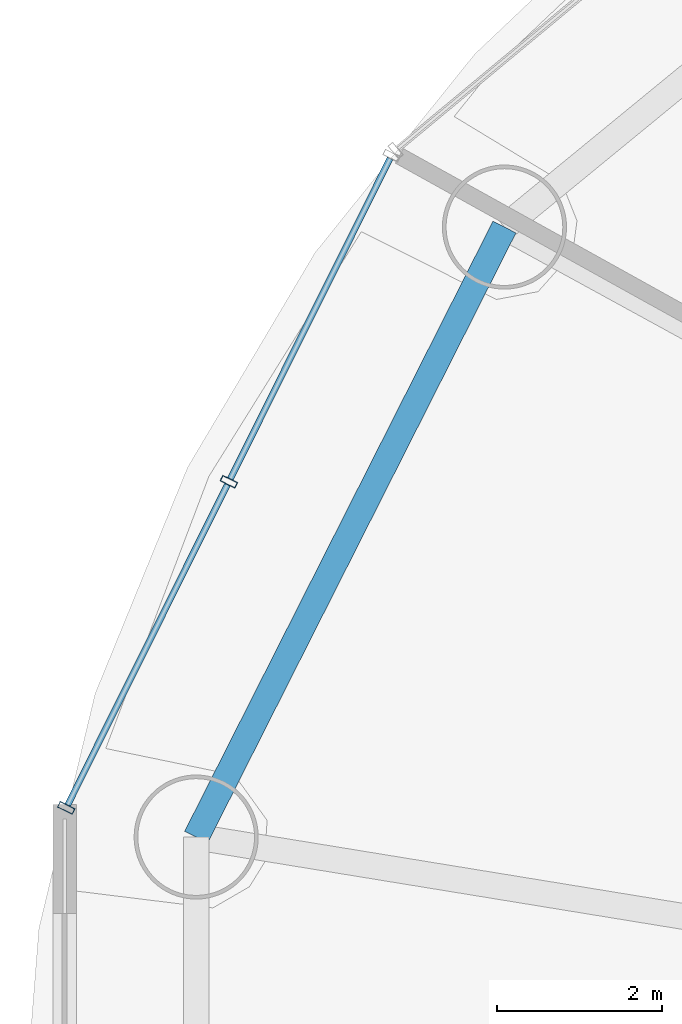
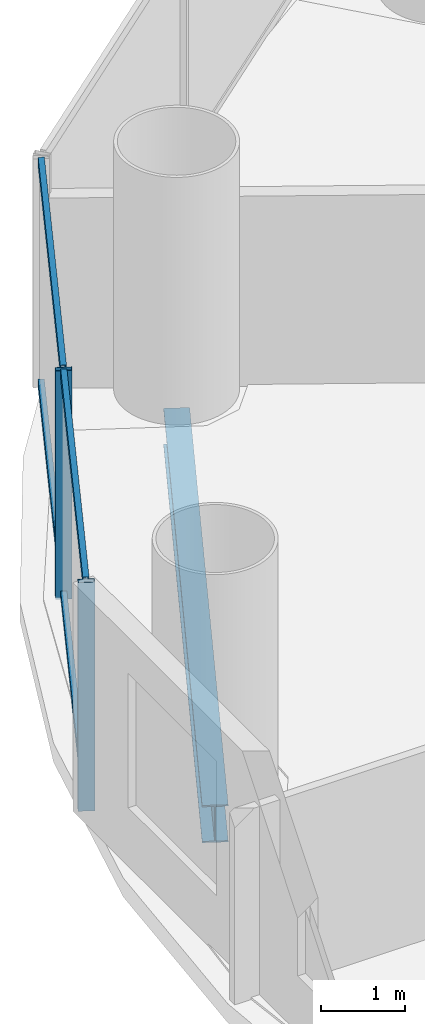
# One storey, part 9 of 29: 6 members, 1 beam, 1 element without a shape of its own.
"""IFC4 building model written with IfcOpenShell, lengths in metres."""

from ifc_helpers import new_model, si_unit, direction, frame, origin, origin_2d, place, context, subcontext, project, spatial, hollow_rectangle, i_section, extrude, source, transform, mapped, material, material_profile, profile_set, type_object, element, aggregate, save


model = new_model("IFC4")

# Units and contexts
model_context = context("Model", 3, precision=1e-05, world=origin(), true_north=direction((-0.2419218956, 0.970295726276)))
body_context = subcontext(model_context, "Body", "Model", "MODEL_VIEW")
ifc_project = project(units=[si_unit("LENGTHUNIT", "METRE"), si_unit("AREAUNIT", "SQUARE_METRE"), si_unit("VOLUMEUNIT", "CUBIC_METRE"), si_unit("PLANEANGLEUNIT", "RADIAN"), si_unit("MASSUNIT", "GRAM", prefix="KILO")], contexts=[model_context])

# Site, building, storey
site_placement = place(None, origin())
site = spatial("IfcSite", under=ifc_project, at=site_placement, CompositionType="ELEMENT")
building_placement = place(site_placement, origin())
building = spatial("IfcBuilding", under=site, at=building_placement, Name="Cobrevalo Terracotta Tower", CompositionType="ELEMENT")
storey_placement = place(building_placement, frame((0.0, 0.0, 97.800048828125)))
storey = spatial("IfcBuildingStorey", under=building, at=storey_placement, Name="L25", CompositionType="ELEMENT", Elevation=97.800048828125)

# Beam
ifc_material_1 = material(Name="Steel S355", Category="steel")
ifc_material_profile_1 = material_profile(ifc_material_1, i_section(OverallWidth=0.31201171875, OverallDepth=0.54296875, WebThickness=0.0126953125, FlangeThickness=0.020263671875, at=origin_2d()), Name="W 530x150")
ifc_profile_set_1 = profile_set([ifc_material_profile_1], Name="Steel S355")
beam_type = type_object("IfcBeamType", Name="Structural Spandrel W 530x150 (Steel S355)", PredefinedType="SPANDREL", material=ifc_profile_set_1)
beam_placement = place(storey_placement, frame((17.2548828125, 38.161376953125, -0.546630859375), z_axis=(-0.451051982172, -0.892497680321, 0.0), x_axis=(0.892497680321, -0.451051982172, 0.0)))
element("IfcBeam", 1, at=beam_placement, inside=storey, type_object=beam_type, Name="L25 perimeter ring spandrel 07", PredefinedType="SPANDREL", context=body_context, shape_type="SweptSolid", body=[
    extrude(i_section(OverallWidth=0.31201171875, OverallDepth=0.54296875, WebThickness=0.0126953125, FlangeThickness=0.020263671875, at=origin_2d()), origin(), (0.0, 0.0, 1.0), 8.259765625),
])

# Curtain wall, members
ifc_material_2 = material(Name="Anodized aluminium", Category="aluminium")
curtain_wall_type = type_object("IfcCurtainWallType", Name="Lower-tower unitised acoustic low-E curtain wall CW-U1", PredefinedType="NOTDEFINED", material=ifc_material_2)
curtain_wall_placement = place(storey_placement, origin())
curtain_wall = element("IfcCurtainWall", 2, at=curtain_wall_placement, inside=storey, type_object=curtain_wall_type, Name="L25 curtain wall CW-L25-S07", PredefinedType="NOTDEFINED")
ifc_material_profile_2 = material_profile(ifc_material_2, hollow_rectangle(XDim=0.074951171875, YDim=0.199951171875, WallThickness=0.0048828125, at=origin_2d()), Name="CWM 75x200")
ifc_profile_set_2 = profile_set([ifc_material_profile_2], Name="Anodized aluminium")
member_type_1 = type_object("IfcMemberType", Name="Lower/mid tower unitised mullion 75x200", PredefinedType="MULLION", material=ifc_profile_set_2)
shared_shape_1 = source(origin(), body_context, "Body", "SweptSolid", [
    extrude(hollow_rectangle(XDim=0.074951171875, YDim=0.199951171875, WallThickness=0.0048828125, at=origin_2d()), origin(), (0.0, 0.0, 1.0), 3.324951171875),
])
member_1_placement = place(storey_placement, frame((13.924072265625, 35.08349609375, 0.0), z_axis=(0.0, 0.0, 1.0), x_axis=(-0.446260290227, -0.894903208937, 0.0)))
member_1 = element("IfcMember", 3, at=member_1_placement, type_object=member_type_1, Name="CW-L25-S07 vertical mullion 02", PredefinedType="MULLION", context=body_context, shape_type="MappedRepresentation", body=[
    mapped(shared_shape_1, transform((0.0, 0.0, 0.0), scale=1.0)),
])
member_2_placement = place(storey_placement, frame((11.95849609375, 31.141357421875, 0.0), z_axis=(0.0, 0.0, 1.0), x_axis=(-0.446260290227, -0.894903208937, 0.0)))
member_2 = element("IfcMember", 4, at=member_2_placement, type_object=member_type_1, Name="CW-L25-S07 vertical mullion 03", PredefinedType="MULLION", context=body_context, shape_type="MappedRepresentation", body=[
    mapped(shared_shape_1, transform((0.0, 0.0, 0.0), scale=1.0)),
])
ifc_material_profile_3 = material_profile(ifc_material_2, hollow_rectangle(XDim=0.074951171875, YDim=0.14990234375, WallThickness=0.00439453125, at=origin_2d()), Name="CWT 75x150")
ifc_profile_set_3 = profile_set([ifc_material_profile_3], Name="Anodized aluminium")
member_type_2 = type_object("IfcMemberType", Name="Tower unitised aluminium transom 75x150", PredefinedType="USERDEFINED", material=ifc_profile_set_3)
shared_shape_2 = source(origin(), body_context, "Body", "SweptSolid", [
    extrude(hollow_rectangle(XDim=0.074951171875, YDim=0.14990234375, WallThickness=0.00439453125, at=origin_2d()), origin(), (0.0, 0.0, 1.0), 4.324951171875),
])
member_3_placement = place(storey_placement, frame((15.8720703125, 38.98974609375, 0.050048828125), z_axis=(-0.44624238083, -0.894912139571, 0.0), x_axis=(0.894912139571, -0.44624238083, 0.0)))
member_3 = element("IfcMember", 5, at=member_3_placement, type_object=member_type_2, Name="CW-L25-S07 transom B01-T1", ObjectType="TRANSOM", PredefinedType="USERDEFINED", context=body_context, shape_type="MappedRepresentation", body=[
    mapped(shared_shape_2, transform((0.0, 0.0, 0.0), scale=1.0)),
])
member_4_placement = place(storey_placement, frame((15.8720703125, 38.98974609375, 3.27490234375), z_axis=(-0.44624238083, -0.894912139571, 0.0), x_axis=(0.894912139571, -0.44624238083, 0.0)))
member_4 = element("IfcMember", 6, at=member_4_placement, type_object=member_type_2, Name="CW-L25-S07 transom B01-T2", ObjectType="TRANSOM", PredefinedType="USERDEFINED", context=body_context, shape_type="MappedRepresentation", body=[
    mapped(shared_shape_2, transform((0.0, 0.0, 0.0), scale=1.0)),
])
member_5_placement = place(storey_placement, frame((13.90625, 35.0478515625, 0.050048828125), z_axis=(-0.446219838389, -0.894923379864, 0.0), x_axis=(0.894923379864, -0.446219838389, 0.0)))
member_5 = element("IfcMember", 7, at=member_5_placement, type_object=member_type_2, Name="CW-L25-S07 transom B02-T1", ObjectType="TRANSOM", PredefinedType="USERDEFINED", context=body_context, shape_type="MappedRepresentation", body=[
    mapped(shared_shape_2, transform((0.0, 0.0, 0.0), scale=1.0)),
])
member_6_placement = place(storey_placement, frame((13.90625, 35.0478515625, 3.27490234375), z_axis=(-0.446219838389, -0.894923379864, 0.0), x_axis=(0.894923379864, -0.446219838389, 0.0)))
member_6 = element("IfcMember", 8, at=member_6_placement, type_object=member_type_2, Name="CW-L25-S07 transom B02-T2", ObjectType="TRANSOM", PredefinedType="USERDEFINED", context=body_context, shape_type="MappedRepresentation", body=[
    mapped(shared_shape_2, transform((0.0, 0.0, 0.0), scale=1.0)),
])
aggregate(curtain_wall, [member_1, member_2, member_3, member_4, member_5, member_6])

save(model, "model.ifc")
